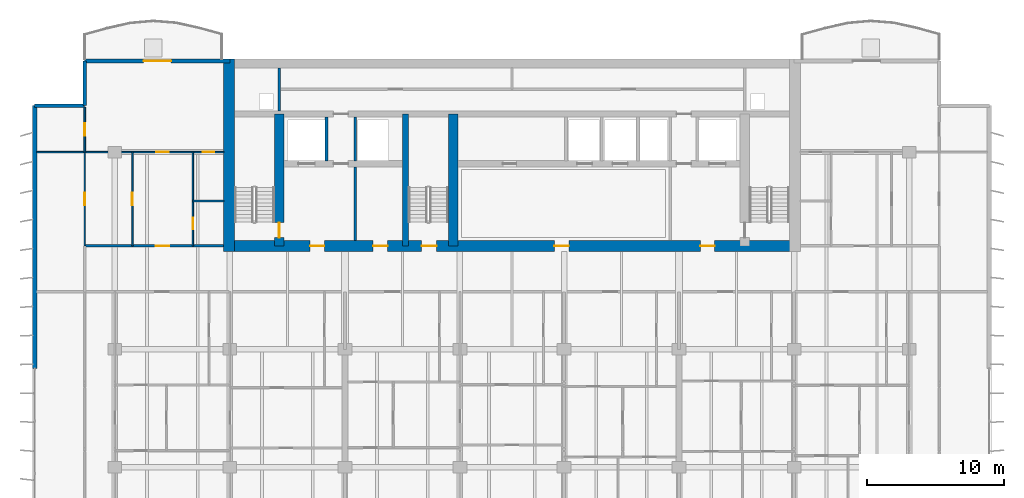
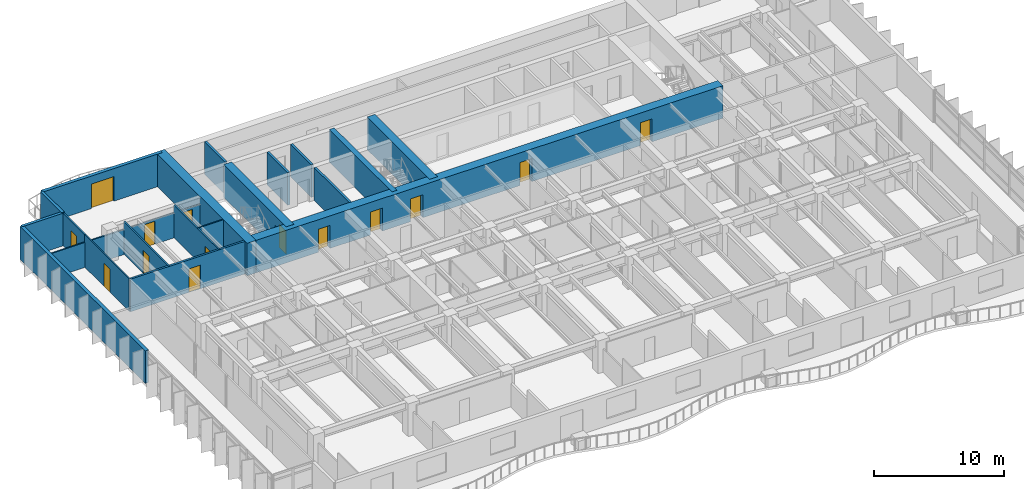
# One storey, part 12 of 19: 20 walls, 14 doors, 14 openings.
"""IFC4 building model written with IfcOpenShell, lengths in metres."""

from ifc_helpers import new_model, si_unit, direction, frame, frame_2d, origin, place, context, subcontext, project, spatial, rectangle, extrude, material, layer, layer_set, type_object, element, fill, save


model = new_model("IFC4")

# Units and contexts
model_context = context("Model", 3, precision=1e-05, world=origin(), true_north=direction((0.0, 1.0)))
body_context = subcontext(model_context, "Body", "Model", "MODEL_VIEW")
ifc_project = project(units=[si_unit("LENGTHUNIT", "METRE"), si_unit("AREAUNIT", "SQUARE_METRE"), si_unit("VOLUMEUNIT", "CUBIC_METRE"), si_unit("PLANEANGLEUNIT", "RADIAN"), si_unit("MASSUNIT", "GRAM", prefix="KILO")], contexts=[model_context])

# Site, building, storey
site_placement = place(None, origin())
site = spatial("IfcSite", under=ifc_project, at=site_placement, CompositionType="ELEMENT")
building_placement = place(site_placement, origin())
building = spatial("IfcBuilding", under=site, at=building_placement, Name="Caelmar Bay Residences", CompositionType="ELEMENT")
storey_placement = place(building_placement, frame((0.0, 0.0, 112.5)))
storey = spatial("IfcBuildingStorey", under=building, at=storey_placement, Name="L30", CompositionType="ELEMENT", Elevation=112.5)

# Wall, opening, door
ifc_material_1 = material(Name="Concrete f'c 55 MPa (8,000 psi)", Category="concrete")
ifc_layer_1 = layer(ifc_material_1, 0.699951171875)
ifc_layer_set_1 = layer_set([ifc_layer_1], Name="Concrete f'c 55 MPa (8,000 psi)")
wall_type_1 = type_object("IfcWallType", Name="SW-COR-700", PredefinedType="SHEAR", material=ifc_layer_set_1)
wall_1_placement = place(storey_placement, frame((21.89990234375, 36.949951171875, 0.0), z_axis=(0.0, 0.0, 1.0), x_axis=(0.0, 1.0, 0.0)))
wall_1 = element("IfcWall", 1, at=wall_1_placement, inside=storey, type_object=wall_type_1, Name="L30 Core Structural Web Wall ST1E", PredefinedType="SHEAR", context=body_context, shape_type="SweptSolid", body=[
    extrude(rectangle(XDim=9.625, YDim=0.699951171875, at=frame_2d((4.8125, 0.0))), origin(), (0.0, 0.0, 1.0), 3.050048828125),
])
opening_1_placement = place(wall_1_placement, frame((0.60009765625, 0.0, 0.0)))
opening_1 = element("IfcOpeningElement", 2, at=opening_1_placement, cuts=wall_1, Name="Opening D-L30-107", PredefinedType="OPENING", context=body_context, shape_type="SweptSolid", body=[
    extrude(rectangle(XDim=1.10009765625, YDim=2.14990234375, at=frame_2d((0.550048828125, 1.074951171875))), frame((0.0, 0.35986328125, 0.0), z_axis=(0.0, -1.0, 0.0), x_axis=(1.0, 0.0, 0.0)), (0.0, 0.0, 1.0), 0.719970703125),
])
ifc_material_2 = material(Name="Fire-rated steel and walnut architectural door assembly", Category="steel")
ifc_layer_2 = layer(ifc_material_2, 0.050048828125)
ifc_layer_set_2 = layer_set([ifc_layer_2], Name="Fire-rated steel and walnut architectural door assembly")
door_type_1 = type_object("IfcDoorType", Name="D-STAIR-1100", OperationType="NOTDEFINED", PredefinedType="DOOR", material=ifc_layer_set_2)
door_1_placement = place(opening_1_placement, origin())
door_1 = element("IfcDoor", 3, at=door_1_placement, inside=storey, type_object=door_type_1, Name="L30 Firefighting Lobby West Door", OperationType="SINGLE_SWING_LEFT", OverallHeight=2.14990234375, OverallWidth=1.10009765625, PredefinedType="DOOR", context=body_context, shape_type="SweptSolid", body=[
    extrude(rectangle(XDim=1.10009765625, YDim=2.14990234375, at=frame_2d((0.550048828125, 1.074951171875))), frame((0.0, 0.02490234375, 0.0), z_axis=(0.0, -1.0, 0.0), x_axis=(1.0, 0.0, 0.0)), (0.0, 0.0, 1.0), 0.050048828125),
])
fill(opening_1, door_1)

# Wall
wall_2_placement = place(storey_placement, frame((34.60009765625, 36.949951171875, 0.0), z_axis=(0.0, 0.0, 1.0), x_axis=(0.0, 1.0, 0.0)))
element("IfcWall", 4, at=wall_2_placement, inside=storey, type_object=wall_type_1, Name="L30 Core Structural Web Wall ST3E", PredefinedType="SHEAR", context=body_context, shape_type="SweptSolid", body=[
    extrude(rectangle(XDim=9.625, YDim=0.699951171875, at=frame_2d((4.8125, 0.0))), origin(), (0.0, 0.0, 1.0), 3.050048828125),
])

# Wall, openings, doors
ifc_material_3 = material(Name="Concrete f'c 70 MPa (10,000 psi)", Category="concrete")
ifc_layer_3 = layer(ifc_material_3, 0.800048828125)
ifc_layer_set_3 = layer_set([ifc_layer_3], Name="Concrete f'c 70 MPa (10,000 psi)")
wall_type_2 = type_object("IfcWallType", Name="SW-COR-800", PredefinedType="SHEAR", material=ifc_layer_set_3)
wall_3_placement = place(storey_placement, frame((17.85009765625, 36.949951171875, 0.0), z_axis=(0.0, 0.0, 1.0), x_axis=(1.0, 0.0, 0.0)))
wall_3 = element("IfcWall", 5, at=wall_3_placement, inside=storey, type_object=wall_type_2, Name="L30 Rear Core South Shear Wall", PredefinedType="SHEAR", context=body_context, shape_type="SweptSolid", body=[
    extrude(rectangle(XDim=42.099853515625, YDim=0.800048828125, at=frame_2d((21.0498046875, 0.0))), origin(), (0.0, 0.0, 1.0), 3.050048828125),
])
opening_2_placement = place(wall_3_placement, frame((14.449951171875, 0.0, 0.0)))
opening_2 = element("IfcOpeningElement", 6, at=opening_2_placement, cuts=wall_3, Name="Opening D-L30-105", PredefinedType="OPENING", context=body_context, shape_type="SweptSolid", body=[
    extrude(rectangle(XDim=1.10009765625, YDim=2.14990234375, at=frame_2d((0.550048828125, 1.074951171875))), frame((0.0, 0.409912109375, 0.0), z_axis=(0.0, -1.0, 0.0), x_axis=(1.0, 0.0, 0.0)), (0.0, 0.0, 1.0), 0.820068359375),
])
opening_3_placement = place(wall_3_placement, frame((6.300048828125, 0.0, 0.0)))
opening_3 = element("IfcOpeningElement", 7, at=opening_3_placement, cuts=wall_3, Name="Opening D-L30-106", PredefinedType="OPENING", context=body_context, shape_type="SweptSolid", body=[
    extrude(rectangle(XDim=1.050048828125, YDim=2.14990234375, at=frame_2d((0.52490234375, 1.074951171875))), frame((0.0, 0.409912109375, 0.0), z_axis=(0.0, -1.0, 0.0), x_axis=(1.0, 0.0, 0.0)), (0.0, 0.0, 1.0), 0.820068359375),
])
opening_4_placement = place(wall_3_placement, frame((34.800048828125, 0.0, 0.0)))
opening_4 = element("IfcOpeningElement", 8, at=opening_4_placement, cuts=wall_3, Name="Opening D-L30-109", PredefinedType="OPENING", context=body_context, shape_type="SweptSolid", body=[
    extrude(rectangle(XDim=1.050048828125, YDim=2.14990234375, at=frame_2d((0.52490234375, 1.074951171875))), frame((0.0, 0.409912109375, 0.0), z_axis=(0.0, -1.0, 0.0), x_axis=(1.0, 0.0, 0.0)), (0.0, 0.0, 1.0), 0.820068359375),
])
opening_5_placement = place(wall_3_placement, frame((10.91259765625, 0.0, 0.0)))
opening_5 = element("IfcOpeningElement", 9, at=opening_5_placement, cuts=wall_3, Name="Opening D-L30-112", PredefinedType="OPENING", context=body_context, shape_type="SweptSolid", body=[
    extrude(rectangle(XDim=1.050048828125, YDim=2.14990234375, at=frame_2d((0.52490234375, 1.074951171875))), frame((0.0, 0.409912109375, 0.0), z_axis=(0.0, -1.0, 0.0), x_axis=(1.0, 0.0, 0.0)), (0.0, 0.0, 1.0), 0.820068359375),
])
opening_6_placement = place(wall_3_placement, frame((24.14990234375, 0.0, 0.0)))
opening_6 = element("IfcOpeningElement", 10, at=opening_6_placement, cuts=wall_3, Name="Opening D-L30-113", PredefinedType="OPENING", context=body_context, shape_type="SweptSolid", body=[
    extrude(rectangle(XDim=1.050048828125, YDim=2.14990234375, at=frame_2d((0.52490234375, 1.074951171875))), frame((0.0, 0.409912109375, 0.0), z_axis=(0.0, -1.0, 0.0), x_axis=(1.0, 0.0, 0.0)), (0.0, 0.0, 1.0), 0.820068359375),
])
ifc_layer_4 = layer(ifc_material_2, 0.050048828125)
ifc_layer_set_4 = layer_set([ifc_layer_4], Name="Fire-rated steel and walnut architectural door assembly")
door_type_2 = type_object("IfcDoorType", Name="D-FSAE-1050", OperationType="NOTDEFINED", PredefinedType="DOOR", material=ifc_layer_set_4)
door_2_placement = place(opening_3_placement, origin())
door_2 = element("IfcDoor", 11, at=door_2_placement, inside=storey, type_object=door_type_2, Name="L30 Firefighting Lobby West Door", OperationType="SINGLE_SWING_RIGHT", OverallHeight=2.14990234375, OverallWidth=1.050048828125, PredefinedType="DOOR", context=body_context, shape_type="SweptSolid", body=[
    extrude(rectangle(XDim=1.050048828125, YDim=2.14990234375, at=frame_2d((0.52490234375, 1.074951171875))), frame((0.0, 0.02490234375, 0.0), z_axis=(0.0, -1.0, 0.0), x_axis=(1.0, 0.0, 0.0)), (0.0, 0.0, 1.0), 0.050048828125),
])
fill(opening_3, door_2)
door_3_placement = place(opening_4_placement, origin())
door_3 = element("IfcDoor", 12, at=door_3_placement, inside=storey, type_object=door_type_2, Name="L30 Firefighting Lobby East Door", OperationType="SINGLE_SWING_LEFT", OverallHeight=2.14990234375, OverallWidth=1.050048828125, PredefinedType="DOOR", context=body_context, shape_type="SweptSolid", body=[
    extrude(rectangle(XDim=1.050048828125, YDim=2.14990234375, at=frame_2d((0.52490234375, 1.074951171875))), frame((0.0, 0.02490234375, 0.0), z_axis=(0.0, -1.0, 0.0), x_axis=(1.0, 0.0, 0.0)), (0.0, 0.0, 1.0), 0.050048828125),
])
fill(opening_4, door_3)
door_4_placement = place(opening_5_placement, origin())
door_4 = element("IfcDoor", 13, at=door_4_placement, inside=storey, type_object=door_type_2, Name="L30 West Lift Lobby Door", OperationType="SINGLE_SWING_RIGHT", OverallHeight=2.14990234375, OverallWidth=1.050048828125, PredefinedType="DOOR", context=body_context, shape_type="SweptSolid", body=[
    extrude(rectangle(XDim=1.050048828125, YDim=2.14990234375, at=frame_2d((0.52490234375, 1.074951171875))), frame((0.0, 0.02490234375, 0.0), z_axis=(0.0, -1.0, 0.0), x_axis=(1.0, 0.0, 0.0)), (0.0, 0.0, 1.0), 0.050048828125),
])
fill(opening_5, door_4)
door_5_placement = place(opening_6_placement, origin())
door_5 = element("IfcDoor", 14, at=door_5_placement, inside=storey, type_object=door_type_2, Name="L30 Passenger Lift Lobby Door", OperationType="SINGLE_SWING_LEFT", OverallHeight=2.14990234375, OverallWidth=1.050048828125, PredefinedType="DOOR", context=body_context, shape_type="SweptSolid", body=[
    extrude(rectangle(XDim=1.050048828125, YDim=2.14990234375, at=frame_2d((0.52490234375, 1.074951171875))), frame((0.0, 0.02490234375, 0.0), z_axis=(0.0, -1.0, 0.0), x_axis=(1.0, 0.0, 0.0)), (0.0, 0.0, 1.0), 0.050048828125),
])
fill(opening_6, door_5)
door_6_placement = place(opening_2_placement, origin())
door_6 = element("IfcDoor", 15, at=door_6_placement, inside=storey, type_object=door_type_1, Name="L30 Exit Stair ST3 Door", OperationType="SINGLE_SWING_LEFT", OverallHeight=2.14990234375, OverallWidth=1.10009765625, PredefinedType="DOOR", context=body_context, shape_type="SweptSolid", body=[
    extrude(rectangle(XDim=1.10009765625, YDim=2.14990234375, at=frame_2d((0.550048828125, 1.074951171875))), frame((0.0, 0.02490234375, 0.0), z_axis=(0.0, -1.0, 0.0), x_axis=(1.0, 0.0, 0.0)), (0.0, 0.0, 1.0), 0.050048828125),
])
fill(opening_2, door_6)

# Walls
wall_4_placement = place(storey_placement, frame((18.25, 36.550048828125, 0.0), z_axis=(0.0, 0.0, 1.0), x_axis=(0.0, 1.0, 0.0)))
element("IfcWall", 16, at=wall_4_placement, inside=storey, type_object=wall_type_2, Name="L30 Rear Core West Shear Wall", PredefinedType="SHEAR", context=body_context, shape_type="SweptSolid", body=[
    extrude(rectangle(XDim=14.050048828125, YDim=0.800048828125, at=frame_2d((7.02490234375, 0.0))), origin(), (0.0, 0.0, 1.0), 3.050048828125),
])
ifc_layer_5 = layer(ifc_material_3, 0.449951171875)
ifc_layer_set_5 = layer_set([ifc_layer_5], Name="Concrete f'c 70 MPa (10,000 psi)")
wall_type_3 = type_object("IfcWallType", Name="SW-WEB-450", PredefinedType="SHEAR", material=ifc_layer_set_5)
wall_5_placement = place(storey_placement, frame((31.125, 36.949951171875, 0.0), z_axis=(0.0, 0.0, 1.0), x_axis=(0.0, 1.0, 0.0)))
element("IfcWall", 17, at=wall_5_placement, inside=storey, type_object=wall_type_3, Name="L30 Core Structural Web Wall ST3W", PredefinedType="SHEAR", context=body_context, shape_type="SweptSolid", body=[
    extrude(rectangle(XDim=9.625, YDim=0.449951171875, at=frame_2d((4.8125, 0.0))), origin(), (0.0, 0.0, 1.0), 3.050048828125),
])

# Wall, opening, door
ifc_material_4 = material(Name="Double-stud acoustic fire-rated gypsum partition 180 mm")
ifc_layer_6 = layer(ifc_material_4, 0.179931640625)
ifc_layer_set_6 = layer_set([ifc_layer_6], Name="Double-stud acoustic fire-rated gypsum partition 180 mm")
wall_type_4 = type_object("IfcWallType", Name="W-COR-200", PredefinedType="PARTITIONING", material=ifc_layer_set_6)
wall_6_placement = place(storey_placement, frame((7.699951171875, 36.949951171875, 0.0), z_axis=(0.0, 0.0, 1.0), x_axis=(1.0, 0.0, 0.0)))
wall_6 = element("IfcWall", 18, at=wall_6_placement, inside=storey, type_object=wall_type_4, Name="L30 Partition Wall H144", PredefinedType="PARTITIONING", context=body_context, shape_type="SweptSolid", body=[
    extrude(rectangle(XDim=10.14501953125, YDim=0.179931640625, at=frame_2d((5.072509765625, 0.0))), origin(), (0.0, 0.0, 1.0), 3.050048828125),
])
opening_7_placement = place(wall_6_placement, frame((5.18798828125, 0.0, 0.0)))
opening_7 = element("IfcOpeningElement", 19, at=opening_7_placement, cuts=wall_6, Name="Opening D-L30-165", PredefinedType="OPENING", context=body_context, shape_type="SweptSolid", body=[
    extrude(rectangle(XDim=1.0, YDim=2.199951171875, at=frame_2d((0.5, 1.10009765625))), frame((0.0, 0.099853515625, 0.0), z_axis=(0.0, -1.0, 0.0), x_axis=(1.0, 0.0, 0.0)), (0.0, 0.0, 1.0), 0.199951171875),
])
ifc_layer_7 = layer(ifc_material_2, 0.050048828125)
ifc_layer_set_7 = layer_set([ifc_layer_7], Name="Fire-rated steel and walnut architectural door assembly")
door_type_3 = type_object("IfcDoorType", Name="D-UNIT-1000", OperationType="NOTDEFINED", PredefinedType="DOOR", material=ifc_layer_set_7)
door_7_placement = place(opening_7_placement, origin())
door_7 = element("IfcDoor", 20, at=door_7_placement, inside=storey, type_object=door_type_3, Name="L30 Residence WA Kitchen Door", OperationType="SINGLE_SWING_LEFT", OverallHeight=2.199951171875, OverallWidth=1.0, PredefinedType="DOOR", context=body_context, shape_type="SweptSolid", body=[
    extrude(rectangle(XDim=1.0, YDim=2.199951171875, at=frame_2d((0.5, 1.10009765625))), frame((0.0, 0.02490234375, 0.0), z_axis=(0.0, -1.0, 0.0), x_axis=(1.0, 0.0, 0.0)), (0.0, 0.0, 1.0), 0.050048828125),
])
fill(opening_7, door_7)

# Walls
ifc_material_5 = material(Name="Precast concrete f'c 40 MPa (6,000 psi)", Category="concrete")
ifc_layer_8 = layer(ifc_material_5, 0.25)
ifc_layer_set_8 = layer_set([ifc_layer_8], Name="Precast concrete f'c 40 MPa (6,000 psi)")
wall_type_5 = type_object("IfcWallType", Name="W-EXT-250", PredefinedType="ELEMENTEDWALL", material=ifc_layer_set_8)
wall_7_placement = place(storey_placement, frame((4.050048828125, 47.199951171875, 0.0), z_axis=(0.0, 0.0, 1.0), x_axis=(1.0, 0.0, 0.0)))
element("IfcWall", 21, at=wall_7_placement, inside=storey, type_object=wall_type_5, Name="L30 NNW-H Notch Wall", PredefinedType="ELEMENTEDWALL", context=body_context, shape_type="SweptSolid", body=[
    extrude(rectangle(XDim=3.64990234375, YDim=0.25, at=frame_2d((1.824951171875, 0.0))), origin(), (0.0, 0.0, 1.0), 3.050048828125),
])
wall_8_placement = place(storey_placement, frame((7.699951171875, 47.199951171875, 0.0), z_axis=(0.0, 0.0, 1.0), x_axis=(0.0, 1.0, 0.0)))
element("IfcWall", 22, at=wall_8_placement, inside=storey, type_object=wall_type_5, Name="L30 NNW-V Notch Wall", PredefinedType="ELEMENTEDWALL", context=body_context, shape_type="SweptSolid", body=[
    extrude(rectangle(XDim=3.25, YDim=0.25, at=frame_2d((1.625, 0.0))), origin(), (0.0, 0.0, 1.0), 3.050048828125),
])
ifc_layer_9 = layer(ifc_material_5, 0.300048828125)
ifc_layer_set_9 = layer_set([ifc_layer_9], Name="Precast concrete f'c 40 MPa (6,000 psi)")
wall_type_6 = type_object("IfcWallType", Name="W-EXT-300", PredefinedType="STANDARD", material=ifc_layer_set_9)
wall_9_placement = place(storey_placement, frame((4.050048828125, 28.0, 0.0), z_axis=(0.0, 0.0, 1.0), x_axis=(0.0, 1.0, 0.0)))
element("IfcWall", 23, at=wall_9_placement, inside=storey, type_object=wall_type_6, Name="L30 West Rear Exterior Wall", PredefinedType="STANDARD", context=body_context, shape_type="SweptSolid", body=[
    extrude(rectangle(XDim=19.199951171875, YDim=0.300048828125, at=frame_2d((9.60009765625, 0.0))), origin(), (0.0, 0.0, 1.0), 3.050048828125),
])

# Wall, opening, door
wall_10_placement = place(storey_placement, frame((7.699951171875, 50.449951171875, 0.0), z_axis=(0.0, 0.0, 1.0), x_axis=(1.0, 0.0, 0.0)))
wall_10 = element("IfcWall", 24, at=wall_10_placement, inside=storey, type_object=wall_type_6, Name="L30 North-West Wing Exterior Wall", PredefinedType="STANDARD", context=body_context, shape_type="SweptSolid", body=[
    extrude(rectangle(XDim=10.60009765625, YDim=0.300048828125, at=frame_2d((5.300048828125, 0.0))), origin(), (0.0, 0.0, 1.0), 3.050048828125),
])
opening_8_placement = place(wall_10_placement, frame((4.300048828125, 0.0, 0.0)))
opening_8 = element("IfcOpeningElement", 25, at=opening_8_placement, cuts=wall_10, Name="Opening L30-BDNW", PredefinedType="OPENING", context=body_context, shape_type="SweptSolid", body=[
    extrude(rectangle(XDim=2.0, YDim=2.300048828125, at=frame_2d((1.0, 1.14990234375))), frame((0.0, 0.159912109375, 0.0), z_axis=(0.0, -1.0, 0.0), x_axis=(1.0, 0.0, 0.0)), (0.0, 0.0, 1.0), 0.320068359375),
])
ifc_material_6 = material(Name="Anodised bronze thermally broken sliding glass door", Category="glass")
ifc_layer_10 = layer(ifc_material_6, 0.050048828125)
ifc_layer_set_10 = layer_set([ifc_layer_10], Name="Anodised bronze thermally broken sliding glass door")
door_type_4 = type_object("IfcDoorType", Name="D-BAL-2000", OperationType="DOUBLE_DOOR_SLIDING", PredefinedType="DOOR", material=ifc_layer_set_10)
door_8_placement = place(opening_8_placement, origin())
door_8 = element("IfcDoor", 26, at=door_8_placement, inside=storey, type_object=door_type_4, Name="L30 North-West Balcony Door", OperationType="DOUBLE_DOOR_SLIDING", OverallHeight=2.300048828125, OverallWidth=2.0, PredefinedType="DOOR", context=body_context, shape_type="SweptSolid", body=[
    extrude(rectangle(XDim=2.0, YDim=2.300048828125, at=frame_2d((1.0, 1.14990234375))), frame((0.0, 0.02490234375, 0.0), z_axis=(0.0, -1.0, 0.0), x_axis=(1.0, 0.0, 0.0)), (0.0, 0.0, 1.0), 0.050048828125),
])
fill(opening_8, door_8)

# Walls
ifc_material_7 = material(Name="Fire-rated masonry and gypsum shaftliner assembly 200 mm", Category="masonry")
ifc_layer_11 = layer(ifc_material_7, 0.199951171875)
ifc_layer_set_11 = layer_set([ifc_layer_11], Name="Fire-rated masonry and gypsum shaftliner assembly 200 mm")
wall_type_7 = type_object("IfcWallType", Name="W-FSAE-200", PredefinedType="PARTITIONING", material=ifc_layer_set_11)
wall_11_placement = place(storey_placement, frame((21.89990234375, 46.794921875, 0.0), z_axis=(0.0, 0.0, 1.0), x_axis=(0.0, 1.0, 0.0)))
element("IfcWall", 27, at=wall_11_placement, inside=storey, type_object=wall_type_7, Name="L30 Partition Wall V031", PredefinedType="PARTITIONING", context=body_context, shape_type="SweptSolid", body=[
    extrude(rectangle(XDim=3.16015625, YDim=0.199951171875, at=frame_2d((1.580078125, 0.0))), origin(), (0.0, 0.0, 1.0), 3.050048828125),
])
wall_12_placement = place(storey_placement, frame((25.35009765625, 43.169921875, 0.0), z_axis=(0.0, 0.0, 1.0), x_axis=(0.0, 1.0, 0.0)))
element("IfcWall", 28, at=wall_12_placement, inside=storey, type_object=wall_type_7, Name="L30 Partition Wall V035", PredefinedType="PARTITIONING", context=body_context, shape_type="SweptSolid", body=[
    extrude(rectangle(XDim=3.18505859375, YDim=0.199951171875, at=frame_2d((1.592529296875, 0.0))), origin(), (0.0, 0.0, 1.0), 3.050048828125),
])
wall_13_placement = place(storey_placement, frame((27.449951171875, 37.344970703125, 0.0), z_axis=(0.0, 0.0, 1.0), x_axis=(0.0, 1.0, 0.0)))
element("IfcWall", 29, at=wall_13_placement, inside=storey, type_object=wall_type_7, Name="L30 Partition Wall V039", PredefinedType="PARTITIONING", context=body_context, shape_type="SweptSolid", body=[
    extrude(rectangle(XDim=5.385009765625, YDim=0.199951171875, at=frame_2d((2.6923828125, 0.0))), origin(), (0.0, 0.0, 1.0), 3.050048828125),
])
wall_14_placement = place(storey_placement, frame((27.449951171875, 43.169921875, 0.0), z_axis=(0.0, 0.0, 1.0), x_axis=(0.0, 1.0, 0.0)))
element("IfcWall", 30, at=wall_14_placement, inside=storey, type_object=wall_type_7, Name="L30 Partition Wall V040", PredefinedType="PARTITIONING", context=body_context, shape_type="SweptSolid", body=[
    extrude(rectangle(XDim=3.18505859375, YDim=0.199951171875, at=frame_2d((1.592529296875, 0.0))), origin(), (0.0, 0.0, 1.0), 3.050048828125),
])

# Wall, opening, door
ifc_material_8 = material(Name="Anodised bronze framed acoustic sliding study partition 100 mm")
ifc_layer_12 = layer(ifc_material_8, 0.10009765625)
ifc_layer_set_12 = layer_set([ifc_layer_12], Name="Anodised bronze framed acoustic sliding study partition 100 mm")
wall_type_8 = type_object("IfcWallType", Name="W-MOV-100", PredefinedType="MOVABLE", material=ifc_layer_set_12)
wall_15_placement = place(storey_placement, frame((7.699951171875, 36.955078125, 0.0), z_axis=(0.0, 0.0, 1.0), x_axis=(0.0, 1.0, 0.0)))
wall_15 = element("IfcWall", 31, at=wall_15_placement, inside=storey, type_object=wall_type_8, Name="L30 Partition Wall V008", PredefinedType="MOVABLE", context=body_context, shape_type="SweptSolid", body=[
    extrude(rectangle(XDim=6.844970703125, YDim=0.10009765625, at=frame_2d((3.42236328125, 0.0))), origin(), (0.0, 0.0, 1.0), 3.050048828125),
])
opening_9_placement = place(wall_15_placement, frame((2.972412109375, 0.0, 0.0)))
opening_9 = element("IfcOpeningElement", 32, at=opening_9_placement, cuts=wall_15, Name="Opening D-L30-169", PredefinedType="OPENING", context=body_context, shape_type="SweptSolid", body=[
    extrude(rectangle(XDim=0.89990234375, YDim=2.14990234375, at=frame_2d((0.449951171875, 1.074951171875))), frame((0.0, 0.06005859375, 0.0), z_axis=(0.0, -1.0, 0.0), x_axis=(1.0, 0.0, 0.0)), (0.0, 0.0, 1.0), 0.1201171875),
])
ifc_material_9 = material(Name="Solid walnut timber interior door leaf and frame", Category="wood")
ifc_layer_13 = layer(ifc_material_9, 0.050048828125)
ifc_layer_set_13 = layer_set([ifc_layer_13], Name="Solid walnut timber interior door leaf and frame")
door_type_5 = type_object("IfcDoorType", Name="D-ROOM-900", OperationType="NOTDEFINED", PredefinedType="DOOR", material=ifc_layer_set_13)
door_9_placement = place(opening_9_placement, origin())
door_9 = element("IfcDoor", 33, at=door_9_placement, inside=storey, type_object=door_type_5, Name="L30 Residence WA Sun Study Door", OperationType="SINGLE_SWING_LEFT", OverallHeight=2.14990234375, OverallWidth=0.89990234375, PredefinedType="DOOR", context=body_context, shape_type="SweptSolid", body=[
    extrude(rectangle(XDim=0.89990234375, YDim=2.14990234375, at=frame_2d((0.449951171875, 1.074951171875))), frame((0.0, 0.02490234375, 0.0), z_axis=(0.0, -1.0, 0.0), x_axis=(1.0, 0.0, 0.0)), (0.0, 0.0, 1.0), 0.050048828125),
])
fill(opening_9, door_9)

ifc_material_10 = material(Name="Acoustic metal-stud gypsum partition 120 mm")
ifc_layer_14 = layer(ifc_material_10, 0.1201171875)
ifc_layer_set_14 = layer_set([ifc_layer_14], Name="Acoustic metal-stud gypsum partition 120 mm")
wall_type_9 = type_object("IfcWallType", Name="W-PRT-120", PredefinedType="PARTITIONING", material=ifc_layer_set_14)
wall_16_placement = place(storey_placement, frame((7.699951171875, 43.804931640625, 0.0), z_axis=(0.0, 0.0, 1.0), x_axis=(0.0, 1.0, 0.0)))
wall_16 = element("IfcWall", 34, at=wall_16_placement, inside=storey, type_object=wall_type_9, Name="L30 Partition Wall V009", PredefinedType="PARTITIONING", context=body_context, shape_type="SweptSolid", body=[
    extrude(rectangle(XDim=3.275146484375, YDim=0.1201171875, at=frame_2d((1.6376953125, 0.0))), origin(), (0.0, 0.0, 1.0), 3.050048828125),
])
opening_10_placement = place(wall_16_placement, frame((1.1875, 0.0, 0.0)))
opening_10 = element("IfcOpeningElement", 35, at=opening_10_placement, cuts=wall_16, Name="Opening D-L30-170", PredefinedType="OPENING", context=body_context, shape_type="SweptSolid", body=[
    extrude(rectangle(XDim=0.89990234375, YDim=2.14990234375, at=frame_2d((0.449951171875, 1.074951171875))), frame((0.0, 0.070068359375, 0.0), z_axis=(0.0, -1.0, 0.0), x_axis=(1.0, 0.0, 0.0)), (0.0, 0.0, 1.0), 0.14013671875),
])
door_10_placement = place(opening_10_placement, origin())
door_10 = element("IfcDoor", 36, at=door_10_placement, inside=storey, type_object=door_type_5, Name="L30 Residence WA North Sitting Alcove Door", OperationType="SINGLE_SWING_RIGHT", OverallHeight=2.14990234375, OverallWidth=0.89990234375, PredefinedType="DOOR", context=body_context, shape_type="SweptSolid", body=[
    extrude(rectangle(XDim=0.89990234375, YDim=2.14990234375, at=frame_2d((0.449951171875, 1.074951171875))), frame((0.0, 0.02490234375, 0.0), z_axis=(0.0, -1.0, 0.0), x_axis=(1.0, 0.0, 0.0)), (0.0, 0.0, 1.0), 0.050048828125),
])
fill(opening_10, door_10)

wall_17_placement = place(storey_placement, frame((11.176025390625, 36.949951171875, 0.0), z_axis=(0.0, 0.0, 1.0), x_axis=(0.0, 1.0, 0.0)))
wall_17 = element("IfcWall", 37, at=wall_17_placement, inside=storey, type_object=wall_type_9, Name="L30 Partition Wall V017", PredefinedType="PARTITIONING", context=body_context, shape_type="SweptSolid", body=[
    extrude(rectangle(XDim=6.85009765625, YDim=0.1201171875, at=frame_2d((3.425048828125, 0.0))), origin(), (0.0, 0.0, 1.0), 3.050048828125),
])
opening_11_placement = place(wall_17_placement, frame((2.97509765625, 0.0, 0.0)))
opening_11 = element("IfcOpeningElement", 38, at=opening_11_placement, cuts=wall_17, Name="Opening D-L30-164", PredefinedType="OPENING", context=body_context, shape_type="SweptSolid", body=[
    extrude(rectangle(XDim=0.89990234375, YDim=2.14990234375, at=frame_2d((0.449951171875, 1.074951171875))), frame((0.0, 0.070068359375, 0.0), z_axis=(0.0, -1.0, 0.0), x_axis=(1.0, 0.0, 0.0)), (0.0, 0.0, 1.0), 0.14013671875),
])
door_11_placement = place(opening_11_placement, origin())
door_11 = element("IfcDoor", 39, at=door_11_placement, inside=storey, type_object=door_type_5, Name="L30 Residence WA Dining Room Door", OperationType="SINGLE_SWING_RIGHT", OverallHeight=2.14990234375, OverallWidth=0.89990234375, PredefinedType="DOOR", context=body_context, shape_type="SweptSolid", body=[
    extrude(rectangle(XDim=0.89990234375, YDim=2.14990234375, at=frame_2d((0.449951171875, 1.074951171875))), frame((0.0, 0.02490234375, 0.0), z_axis=(0.0, -1.0, 0.0), x_axis=(1.0, 0.0, 0.0)), (0.0, 0.0, 1.0), 0.050048828125),
])
fill(opening_11, door_11)

wall_18_placement = place(storey_placement, frame((15.60009765625, 36.949951171875, 0.0), z_axis=(0.0, 0.0, 1.0), x_axis=(0.0, 1.0, 0.0)))
wall_18 = element("IfcWall", 40, at=wall_18_placement, inside=storey, type_object=wall_type_9, Name="L30 Partition Wall V021", PredefinedType="PARTITIONING", context=body_context, shape_type="SweptSolid", body=[
    extrude(rectangle(XDim=6.85009765625, YDim=0.1201171875, at=frame_2d((3.425048828125, 0.0))), origin(), (0.0, 0.0, 1.0), 3.050048828125),
])
opening_12_placement = place(wall_18_placement, frame((1.218994140625, 0.0, 0.0)))
opening_12 = element("IfcOpeningElement", 41, at=opening_12_placement, cuts=wall_18, Name="Opening D-L30-167", PredefinedType="OPENING", context=body_context, shape_type="SweptSolid", body=[
    extrude(rectangle(XDim=0.85009765625, YDim=2.10009765625, at=frame_2d((0.425048828125, 1.050048828125))), frame((0.0, 0.070068359375, 0.0), z_axis=(0.0, -1.0, 0.0), x_axis=(1.0, 0.0, 0.0)), (0.0, 0.0, 1.0), 0.14013671875),
])
ifc_layer_15 = layer(ifc_material_9, 0.050048828125)
ifc_layer_set_15 = layer_set([ifc_layer_15], Name="Solid walnut timber interior door leaf and frame")
door_type_6 = type_object("IfcDoorType", Name="D-BATH-850", OperationType="NOTDEFINED", PredefinedType="DOOR", material=ifc_layer_set_15)
door_12_placement = place(opening_12_placement, origin())
door_12 = element("IfcDoor", 42, at=door_12_placement, inside=storey, type_object=door_type_6, Name="L30 Residence WA Walk-In Closet Door", OperationType="SINGLE_SWING_LEFT", OverallHeight=2.10009765625, OverallWidth=0.85009765625, PredefinedType="DOOR", context=body_context, shape_type="SweptSolid", body=[
    extrude(rectangle(XDim=0.85009765625, YDim=2.10009765625, at=frame_2d((0.425048828125, 1.050048828125))), frame((0.0, 0.02490234375, 0.0), z_axis=(0.0, -1.0, 0.0), x_axis=(1.0, 0.0, 0.0)), (0.0, 0.0, 1.0), 0.050048828125),
])
fill(opening_12, door_12)

# Wall
wall_19_placement = place(storey_placement, frame((15.60009765625, 40.238037109375, 0.0), z_axis=(0.0, 0.0, 1.0), x_axis=(1.0, 0.0, 0.0)))
element("IfcWall", 43, at=wall_19_placement, inside=storey, type_object=wall_type_9, Name="L30 Partition Wall H146", PredefinedType="PARTITIONING", context=body_context, shape_type="SweptSolid", body=[
    extrude(rectangle(XDim=2.2548828125, YDim=0.1201171875, at=frame_2d((1.12744140625, 0.0))), origin(), (0.0, 0.0, 1.0), 3.050048828125),
])

# Wall, openings, doors
wall_20_placement = place(storey_placement, frame((4.195068359375, 43.800048828125, 0.0), z_axis=(0.0, 0.0, 1.0), x_axis=(1.0, 0.0, 0.0)))
wall_20 = element("IfcWall", 44, at=wall_20_placement, inside=storey, type_object=wall_type_9, Name="L30 Partition Wall H148", PredefinedType="PARTITIONING", context=body_context, shape_type="SweptSolid", body=[
    extrude(rectangle(XDim=13.659912109375, YDim=0.1201171875, at=frame_2d((6.830078125, 0.0))), origin(), (0.0, 0.0, 1.0), 2.339111328125),
])
opening_13_placement = place(wall_20_placement, frame((8.742919921875, 0.0, 0.0)))
opening_13 = element("IfcOpeningElement", 45, at=opening_13_placement, cuts=wall_20, Name="Opening D-L30-166", PredefinedType="OPENING", context=body_context, shape_type="SweptSolid", body=[
    extrude(rectangle(XDim=0.89990234375, YDim=2.14990234375, at=frame_2d((0.449951171875, 1.074951171875))), frame((0.0, 0.070068359375, 0.0), z_axis=(0.0, -1.0, 0.0), x_axis=(1.0, 0.0, 0.0)), (0.0, 0.0, 1.0), 0.14013671875),
])
opening_14_placement = place(wall_20_placement, frame((12.107421875, 0.0, 0.0)))
opening_14 = element("IfcOpeningElement", 46, at=opening_14_placement, cuts=wall_20, Name="Opening D-L30-168", PredefinedType="OPENING", context=body_context, shape_type="SweptSolid", body=[
    extrude(rectangle(XDim=0.85009765625, YDim=2.10009765625, at=frame_2d((0.425048828125, 1.050048828125))), frame((0.0, 0.070068359375, 0.0), z_axis=(0.0, -1.0, 0.0), x_axis=(1.0, 0.0, 0.0)), (0.0, 0.0, 1.0), 0.14013671875),
])
door_13_placement = place(opening_14_placement, origin())
door_13 = element("IfcDoor", 47, at=door_13_placement, inside=storey, type_object=door_type_6, Name="L30 Residence WA Bathroom Door", OperationType="SINGLE_SWING_RIGHT", OverallHeight=2.10009765625, OverallWidth=0.85009765625, PredefinedType="DOOR", context=body_context, shape_type="SweptSolid", body=[
    extrude(rectangle(XDim=0.85009765625, YDim=2.10009765625, at=frame_2d((0.425048828125, 1.050048828125))), frame((0.0, 0.02490234375, 0.0), z_axis=(0.0, -1.0, 0.0), x_axis=(1.0, 0.0, 0.0)), (0.0, 0.0, 1.0), 0.050048828125),
])
fill(opening_14, door_13)
door_14_placement = place(opening_13_placement, origin())
door_14 = element("IfcDoor", 48, at=door_14_placement, inside=storey, type_object=door_type_5, Name="L30 Residence WA Studio Living and Sleeping Room Door", OperationType="SINGLE_SWING_RIGHT", OverallHeight=2.14990234375, OverallWidth=0.89990234375, PredefinedType="DOOR", context=body_context, shape_type="SweptSolid", body=[
    extrude(rectangle(XDim=0.89990234375, YDim=2.14990234375, at=frame_2d((0.449951171875, 1.074951171875))), frame((0.0, 0.02490234375, 0.0), z_axis=(0.0, -1.0, 0.0), x_axis=(1.0, 0.0, 0.0)), (0.0, 0.0, 1.0), 0.050048828125),
])
fill(opening_13, door_14)

save(model, "model.ifc")
